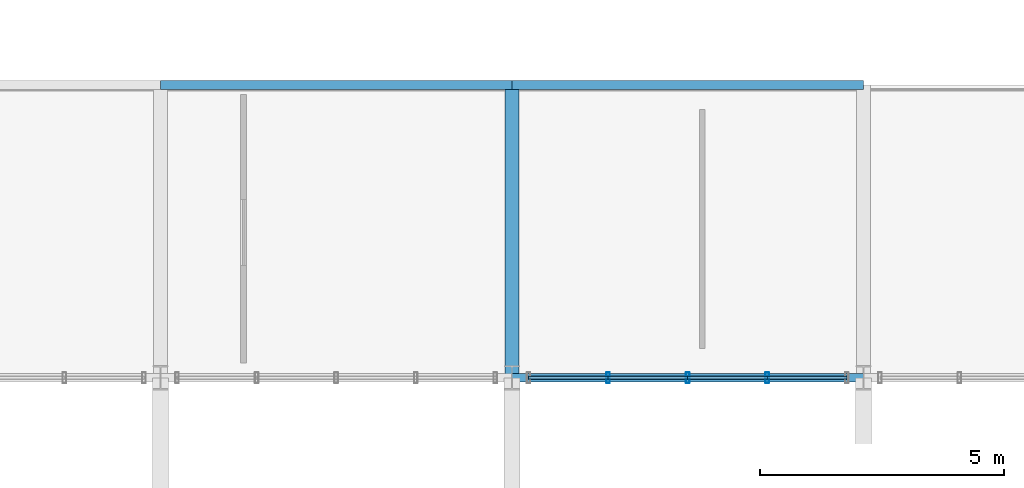
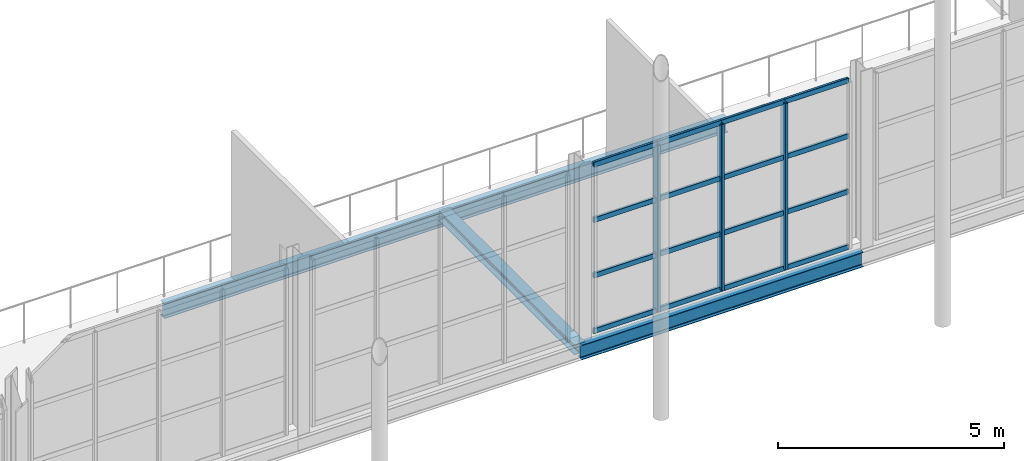
# One storey, part 26 of 143: 19 members, 4 beams, 1 element without a shape of its own.
"""IFC4 building model written with IfcOpenShell, lengths in metres."""

from ifc_helpers import new_model, si_unit, derived_unit, direction, frame, origin, origin_2d, place, context, subcontext, project, spatial, hollow_rectangle, i_section, extrude, material, material_profile, profile_set, type_object, element, aggregate, save


model = new_model("IFC4")

# Units and contexts
model_context = context("Model", 3, precision=1e-05, world=origin(), true_north=direction((0.0, 1.0)))
body_context = subcontext(model_context, "Body", "Model", "MODEL_VIEW")
ifc_project = project(units=[si_unit("LENGTHUNIT", "METRE"), si_unit("AREAUNIT", "SQUARE_METRE"), si_unit("VOLUMEUNIT", "CUBIC_METRE"), si_unit("PLANEANGLEUNIT", "RADIAN"), si_unit("MASSUNIT", "GRAM", prefix="KILO"), derived_unit("THERMALTRANSMITTANCEUNIT", [(si_unit("POWERUNIT", "WATT"), 1), (si_unit("LENGTHUNIT", "METRE"), -2), (si_unit("THERMODYNAMICTEMPERATUREUNIT", "KELVIN"), -1)])], contexts=[model_context])

# Site, building, storey
site_placement = place(None, origin())
site = spatial("IfcSite", under=ifc_project, at=site_placement, CompositionType="ELEMENT")
building_placement = place(site_placement, origin())
building = spatial("IfcBuilding", under=site, at=building_placement, Name="Keldorne Ridge Multi-Sports Centre", CompositionType="ELEMENT")
storey_placement = place(building_placement, frame((0.0, 0.0, 4.800048828125)))
storey = spatial("IfcBuildingStorey", under=building, at=storey_placement, Name="L01", CompositionType="ELEMENT", Elevation=4.800048828125)

# Beams
ifc_material_1 = material(Name="Steel S355", Category="steel")
ifc_material_profile_1 = material_profile(ifc_material_1, i_section(OverallWidth=0.179931640625, OverallDepth=0.39990234375, WebThickness=0.008544921875, FlangeThickness=0.013427734375, FilletRadius=0.02099609375, at=origin_2d()), Name="IPE 400")
ifc_profile_set_1 = profile_set([ifc_material_profile_1], Name="Steel S355")
beam_type_1 = type_object("IfcBeamType", Name="BM-B-04", PredefinedType="BEAM", material=ifc_profile_set_1)
beam_1_placement = place(storey_placement, frame((56.39990234375, 15.60009765625, -0.420166015625), z_axis=(1.0, 0.0, 0.0), x_axis=(0.0, 1.0, 0.0)))
element("IfcBeam", 1, at=beam_1_placement, inside=storey, type_object=beam_type_1, Name="L01 mezzanine north beam 8", PredefinedType="BEAM", context=body_context, shape_type="SweptSolid", body=[
    extrude(i_section(OverallWidth=0.179931640625, OverallDepth=0.39990234375, WebThickness=0.008544921875, FlangeThickness=0.013427734375, FilletRadius=0.02099609375, at=origin_2d()), origin(), (0.0, 0.0, 1.0), 7.2001953125),
])
for number, where, z_axis, x_axis, name in (
    (2, (63.60009765625, 9.60009765625, -0.420166015625), (1.0, 0.0, 0.0), (0.0, 1.0, 0.0), "L01 mezzanine south beam 9"),
    (3, (63.60009765625, 15.60009765625, -0.420166015625), (1.0, 0.0, 0.0), (0.0, 1.0, 0.0), "L01 mezzanine north beam 9"),
):
    element("IfcBeam", number, at=place(storey_placement, frame(where, z_axis=z_axis, x_axis=x_axis)), inside=storey, type_object=beam_type_1, Name=name, PredefinedType="BEAM", context=body_context, shape_type="SweptSolid", body=[
        extrude(i_section(OverallWidth=0.179931640625, OverallDepth=0.39990234375, WebThickness=0.008544921875, FlangeThickness=0.013427734375, FilletRadius=0.02099609375, at=origin_2d()), origin(), (0.0, 0.0, 1.0), 7.199951171875),
    ])
ifc_material_profile_2 = material_profile(ifc_material_1, i_section(OverallWidth=0.280029296875, OverallDepth=0.27001953125, WebThickness=0.008056640625, FlangeThickness=0.012939453125, FilletRadius=0.02392578125, at=origin_2d()), Name="HEA 280")
ifc_profile_set_2 = profile_set([ifc_material_profile_2], Name="Steel S355")
beam_type_2 = type_object("IfcBeamType", Name="BM-J-05", PredefinedType="JOIST", material=ifc_profile_set_2)
beam_2_placement = place(storey_placement, frame((63.60009765625, 9.60009765625, -0.35498046875), z_axis=(0.0, 1.0, 0.0), x_axis=(-1.0, 0.0, 0.0)))
element("IfcBeam", 4, at=beam_2_placement, inside=storey, type_object=beam_type_2, Name="L01 mezzanine cross beam 9", PredefinedType="JOIST", context=body_context, shape_type="SweptSolid", body=[
    extrude(i_section(OverallWidth=0.280029296875, OverallDepth=0.27001953125, WebThickness=0.008056640625, FlangeThickness=0.012939453125, FilletRadius=0.02392578125, at=origin_2d()), origin(), (0.0, 0.0, 1.0), 6.0),
])

# Curtain wall, members
ifc_material_2 = material(Name="Anodized aluminium", Category="aluminium")
curtain_wall_type = type_object("IfcCurtainWallType", Name="CW-CW-07", PredefinedType="NOTDEFINED", material=ifc_material_2)
curtain_wall_placement = place(storey_placement, origin())
curtain_wall = element("IfcCurtainWall", 5, at=curtain_wall_placement, inside=storey, type_object=curtain_wall_type, Name="Main Hall south mezzanine curtain wall 023", PredefinedType="NOTDEFINED")
ifc_material_profile_3 = material_profile(ifc_material_2, hollow_rectangle(XDim=0.074951171875, YDim=0.219970703125, WallThickness=0.0048828125, InnerFilletRadius=0.0048828125, OuterFilletRadius=0.010009765625, at=origin_2d()), Name="ALU MULLION 220x75x5")
ifc_profile_set_3 = profile_set([ifc_material_profile_3], Name="Anodized aluminium")
member_type_1 = type_object("IfcMemberType", Name="MEM-ML-02", PredefinedType="MULLION", material=ifc_profile_set_3)
member_1_placement = place(storey_placement, frame((65.570068359375, 9.60009765625, 0.0), z_axis=(0.0, 0.0, 1.0), x_axis=(1.0, 0.0, 0.0)))
member_1 = element("IfcMember", 6, at=member_1_placement, type_object=member_type_1, Name="CW-023 vertical mullion 2", PredefinedType="MULLION", context=body_context, shape_type="SweptSolid", body=[
    extrude(hollow_rectangle(XDim=0.074951171875, YDim=0.219970703125, WallThickness=0.0048828125, InnerFilletRadius=0.0048828125, OuterFilletRadius=0.010009765625, at=origin_2d()), origin(), (0.0, 0.0, 1.0), 4.5),
])
member_2_placement = place(storey_placement, frame((67.199951171875, 9.60009765625, 0.0), z_axis=(0.0, 0.0, 1.0), x_axis=(1.0, 0.0, 0.0)))
member_2 = element("IfcMember", 7, at=member_2_placement, type_object=member_type_1, Name="CW-023 vertical mullion 3", PredefinedType="MULLION", context=body_context, shape_type="SweptSolid", body=[
    extrude(hollow_rectangle(XDim=0.074951171875, YDim=0.219970703125, WallThickness=0.0048828125, InnerFilletRadius=0.0048828125, OuterFilletRadius=0.010009765625, at=origin_2d()), origin(), (0.0, 0.0, 1.0), 4.5),
])
member_3_placement = place(storey_placement, frame((68.830078125, 9.60009765625, 0.0), z_axis=(0.0, 0.0, 1.0), x_axis=(1.0, 0.0, 0.0)))
member_3 = element("IfcMember", 8, at=member_3_placement, type_object=member_type_1, Name="CW-023 vertical mullion 4", PredefinedType="MULLION", context=body_context, shape_type="SweptSolid", body=[
    extrude(hollow_rectangle(XDim=0.074951171875, YDim=0.219970703125, WallThickness=0.0048828125, InnerFilletRadius=0.0048828125, OuterFilletRadius=0.010009765625, at=origin_2d()), origin(), (0.0, 0.0, 1.0), 4.5),
])
ifc_material_profile_4 = material_profile(ifc_material_2, hollow_rectangle(XDim=0.06494140625, YDim=0.139892578125, WallThickness=0.00439453125, InnerFilletRadius=0.00439453125, OuterFilletRadius=0.009033203125, at=origin_2d()), Name="ALU TRANSOM 140x65x4.5")
ifc_profile_set_4 = profile_set([ifc_material_profile_4], Name="Anodized aluminium")
member_type_2 = type_object("IfcMemberType", Name="MEM-TR-01", PredefinedType="USERDEFINED", material=ifc_profile_set_4)
member_4_placement = place(storey_placement, frame((63.93994140625, 9.60009765625, 0.0), z_axis=(1.0, 0.0, 0.0), x_axis=(0.0, 1.0, 0.0)))
member_4 = element("IfcMember", 9, at=member_4_placement, type_object=member_type_2, Name="CW-023 transom 1.1", ObjectType="TRANSOM", PredefinedType="USERDEFINED", context=body_context, shape_type="SweptSolid", body=[
    extrude(hollow_rectangle(XDim=0.06494140625, YDim=0.139892578125, WallThickness=0.00439453125, InnerFilletRadius=0.00439453125, OuterFilletRadius=0.009033203125, at=origin_2d()), origin(), (0.0, 0.0, 1.0), 1.630126953125),
])
member_5_placement = place(storey_placement, frame((63.93994140625, 9.60009765625, 1.5), z_axis=(1.0, 0.0, 0.0), x_axis=(0.0, 1.0, 0.0)))
member_5 = element("IfcMember", 10, at=member_5_placement, type_object=member_type_2, Name="CW-023 transom 1.2", ObjectType="TRANSOM", PredefinedType="USERDEFINED", context=body_context, shape_type="SweptSolid", body=[
    extrude(hollow_rectangle(XDim=0.06494140625, YDim=0.139892578125, WallThickness=0.00439453125, InnerFilletRadius=0.00439453125, OuterFilletRadius=0.009033203125, at=origin_2d()), origin(), (0.0, 0.0, 1.0), 1.630126953125),
])
member_6_placement = place(storey_placement, frame((63.93994140625, 9.60009765625, 3.0), z_axis=(1.0, 0.0, 0.0), x_axis=(0.0, 1.0, 0.0)))
member_6 = element("IfcMember", 11, at=member_6_placement, type_object=member_type_2, Name="CW-023 transom 1.3", ObjectType="TRANSOM", PredefinedType="USERDEFINED", context=body_context, shape_type="SweptSolid", body=[
    extrude(hollow_rectangle(XDim=0.06494140625, YDim=0.139892578125, WallThickness=0.00439453125, InnerFilletRadius=0.00439453125, OuterFilletRadius=0.009033203125, at=origin_2d()), origin(), (0.0, 0.0, 1.0), 1.630126953125),
])
member_7_placement = place(storey_placement, frame((63.93994140625, 9.60009765625, 4.5), z_axis=(1.0, 0.0, 0.0), x_axis=(0.0, 1.0, 0.0)))
member_7 = element("IfcMember", 12, at=member_7_placement, type_object=member_type_2, Name="CW-023 transom 1.4", ObjectType="TRANSOM", PredefinedType="USERDEFINED", context=body_context, shape_type="SweptSolid", body=[
    extrude(hollow_rectangle(XDim=0.06494140625, YDim=0.139892578125, WallThickness=0.00439453125, InnerFilletRadius=0.00439453125, OuterFilletRadius=0.009033203125, at=origin_2d()), origin(), (0.0, 0.0, 1.0), 1.630126953125),
])
member_8_placement = place(storey_placement, frame((65.570068359375, 9.60009765625, 0.0), z_axis=(1.0, 0.0, 0.0), x_axis=(0.0, 1.0, 0.0)))
member_8 = element("IfcMember", 13, at=member_8_placement, type_object=member_type_2, Name="CW-023 transom 2.1", ObjectType="TRANSOM", PredefinedType="USERDEFINED", context=body_context, shape_type="SweptSolid", body=[
    extrude(hollow_rectangle(XDim=0.06494140625, YDim=0.139892578125, WallThickness=0.00439453125, InnerFilletRadius=0.00439453125, OuterFilletRadius=0.009033203125, at=origin_2d()), origin(), (0.0, 0.0, 1.0), 1.6298828125),
])
member_9_placement = place(storey_placement, frame((65.570068359375, 9.60009765625, 1.5), z_axis=(1.0, 0.0, 0.0), x_axis=(0.0, 1.0, 0.0)))
member_9 = element("IfcMember", 14, at=member_9_placement, type_object=member_type_2, Name="CW-023 transom 2.2", ObjectType="TRANSOM", PredefinedType="USERDEFINED", context=body_context, shape_type="SweptSolid", body=[
    extrude(hollow_rectangle(XDim=0.06494140625, YDim=0.139892578125, WallThickness=0.00439453125, InnerFilletRadius=0.00439453125, OuterFilletRadius=0.009033203125, at=origin_2d()), origin(), (0.0, 0.0, 1.0), 1.6298828125),
])
member_10_placement = place(storey_placement, frame((65.570068359375, 9.60009765625, 3.0), z_axis=(1.0, 0.0, 0.0), x_axis=(0.0, 1.0, 0.0)))
member_10 = element("IfcMember", 15, at=member_10_placement, type_object=member_type_2, Name="CW-023 transom 2.3", ObjectType="TRANSOM", PredefinedType="USERDEFINED", context=body_context, shape_type="SweptSolid", body=[
    extrude(hollow_rectangle(XDim=0.06494140625, YDim=0.139892578125, WallThickness=0.00439453125, InnerFilletRadius=0.00439453125, OuterFilletRadius=0.009033203125, at=origin_2d()), origin(), (0.0, 0.0, 1.0), 1.6298828125),
])
member_11_placement = place(storey_placement, frame((65.570068359375, 9.60009765625, 4.5), z_axis=(1.0, 0.0, 0.0), x_axis=(0.0, 1.0, 0.0)))
member_11 = element("IfcMember", 16, at=member_11_placement, type_object=member_type_2, Name="CW-023 transom 2.4", ObjectType="TRANSOM", PredefinedType="USERDEFINED", context=body_context, shape_type="SweptSolid", body=[
    extrude(hollow_rectangle(XDim=0.06494140625, YDim=0.139892578125, WallThickness=0.00439453125, InnerFilletRadius=0.00439453125, OuterFilletRadius=0.009033203125, at=origin_2d()), origin(), (0.0, 0.0, 1.0), 1.6298828125),
])
member_12_placement = place(storey_placement, frame((67.199951171875, 9.60009765625, 0.0), z_axis=(1.0, 0.0, 0.0), x_axis=(0.0, 1.0, 0.0)))
member_12 = element("IfcMember", 17, at=member_12_placement, type_object=member_type_2, Name="CW-023 transom 3.1", ObjectType="TRANSOM", PredefinedType="USERDEFINED", context=body_context, shape_type="SweptSolid", body=[
    extrude(hollow_rectangle(XDim=0.06494140625, YDim=0.139892578125, WallThickness=0.00439453125, InnerFilletRadius=0.00439453125, OuterFilletRadius=0.009033203125, at=origin_2d()), origin(), (0.0, 0.0, 1.0), 1.630126953125),
])
member_13_placement = place(storey_placement, frame((67.199951171875, 9.60009765625, 1.5), z_axis=(1.0, 0.0, 0.0), x_axis=(0.0, 1.0, 0.0)))
member_13 = element("IfcMember", 18, at=member_13_placement, type_object=member_type_2, Name="CW-023 transom 3.2", ObjectType="TRANSOM", PredefinedType="USERDEFINED", context=body_context, shape_type="SweptSolid", body=[
    extrude(hollow_rectangle(XDim=0.06494140625, YDim=0.139892578125, WallThickness=0.00439453125, InnerFilletRadius=0.00439453125, OuterFilletRadius=0.009033203125, at=origin_2d()), origin(), (0.0, 0.0, 1.0), 1.630126953125),
])
member_14_placement = place(storey_placement, frame((67.199951171875, 9.60009765625, 3.0), z_axis=(1.0, 0.0, 0.0), x_axis=(0.0, 1.0, 0.0)))
member_14 = element("IfcMember", 19, at=member_14_placement, type_object=member_type_2, Name="CW-023 transom 3.3", ObjectType="TRANSOM", PredefinedType="USERDEFINED", context=body_context, shape_type="SweptSolid", body=[
    extrude(hollow_rectangle(XDim=0.06494140625, YDim=0.139892578125, WallThickness=0.00439453125, InnerFilletRadius=0.00439453125, OuterFilletRadius=0.009033203125, at=origin_2d()), origin(), (0.0, 0.0, 1.0), 1.630126953125),
])
member_15_placement = place(storey_placement, frame((67.199951171875, 9.60009765625, 4.5), z_axis=(1.0, 0.0, 0.0), x_axis=(0.0, 1.0, 0.0)))
member_15 = element("IfcMember", 20, at=member_15_placement, type_object=member_type_2, Name="CW-023 transom 3.4", ObjectType="TRANSOM", PredefinedType="USERDEFINED", context=body_context, shape_type="SweptSolid", body=[
    extrude(hollow_rectangle(XDim=0.06494140625, YDim=0.139892578125, WallThickness=0.00439453125, InnerFilletRadius=0.00439453125, OuterFilletRadius=0.009033203125, at=origin_2d()), origin(), (0.0, 0.0, 1.0), 1.630126953125),
])
member_16_placement = place(storey_placement, frame((68.830078125, 9.60009765625, 0.0), z_axis=(1.0, 0.0, 0.0), x_axis=(0.0, 1.0, 0.0)))
member_16 = element("IfcMember", 21, at=member_16_placement, type_object=member_type_2, Name="CW-023 transom 4.1", ObjectType="TRANSOM", PredefinedType="USERDEFINED", context=body_context, shape_type="SweptSolid", body=[
    extrude(hollow_rectangle(XDim=0.06494140625, YDim=0.139892578125, WallThickness=0.00439453125, InnerFilletRadius=0.00439453125, OuterFilletRadius=0.009033203125, at=origin_2d()), origin(), (0.0, 0.0, 1.0), 1.6298828125),
])
member_17_placement = place(storey_placement, frame((68.830078125, 9.60009765625, 1.5), z_axis=(1.0, 0.0, 0.0), x_axis=(0.0, 1.0, 0.0)))
member_17 = element("IfcMember", 22, at=member_17_placement, type_object=member_type_2, Name="CW-023 transom 4.2", ObjectType="TRANSOM", PredefinedType="USERDEFINED", context=body_context, shape_type="SweptSolid", body=[
    extrude(hollow_rectangle(XDim=0.06494140625, YDim=0.139892578125, WallThickness=0.00439453125, InnerFilletRadius=0.00439453125, OuterFilletRadius=0.009033203125, at=origin_2d()), origin(), (0.0, 0.0, 1.0), 1.6298828125),
])
member_18_placement = place(storey_placement, frame((68.830078125, 9.60009765625, 3.0), z_axis=(1.0, 0.0, 0.0), x_axis=(0.0, 1.0, 0.0)))
member_18 = element("IfcMember", 23, at=member_18_placement, type_object=member_type_2, Name="CW-023 transom 4.3", ObjectType="TRANSOM", PredefinedType="USERDEFINED", context=body_context, shape_type="SweptSolid", body=[
    extrude(hollow_rectangle(XDim=0.06494140625, YDim=0.139892578125, WallThickness=0.00439453125, InnerFilletRadius=0.00439453125, OuterFilletRadius=0.009033203125, at=origin_2d()), origin(), (0.0, 0.0, 1.0), 1.6298828125),
])
member_19_placement = place(storey_placement, frame((68.830078125, 9.60009765625, 4.5), z_axis=(1.0, 0.0, 0.0), x_axis=(0.0, 1.0, 0.0)))
member_19 = element("IfcMember", 24, at=member_19_placement, type_object=member_type_2, Name="CW-023 transom 4.4", ObjectType="TRANSOM", PredefinedType="USERDEFINED", context=body_context, shape_type="SweptSolid", body=[
    extrude(hollow_rectangle(XDim=0.06494140625, YDim=0.139892578125, WallThickness=0.00439453125, InnerFilletRadius=0.00439453125, OuterFilletRadius=0.009033203125, at=origin_2d()), origin(), (0.0, 0.0, 1.0), 1.6298828125),
])
aggregate(curtain_wall, [member_1, member_2, member_3, member_4, member_5, member_6, member_7, member_8, member_9, member_10, member_11, member_12, member_13, member_14, member_15, member_16, member_17, member_18, member_19])

save(model, "model.ifc")
